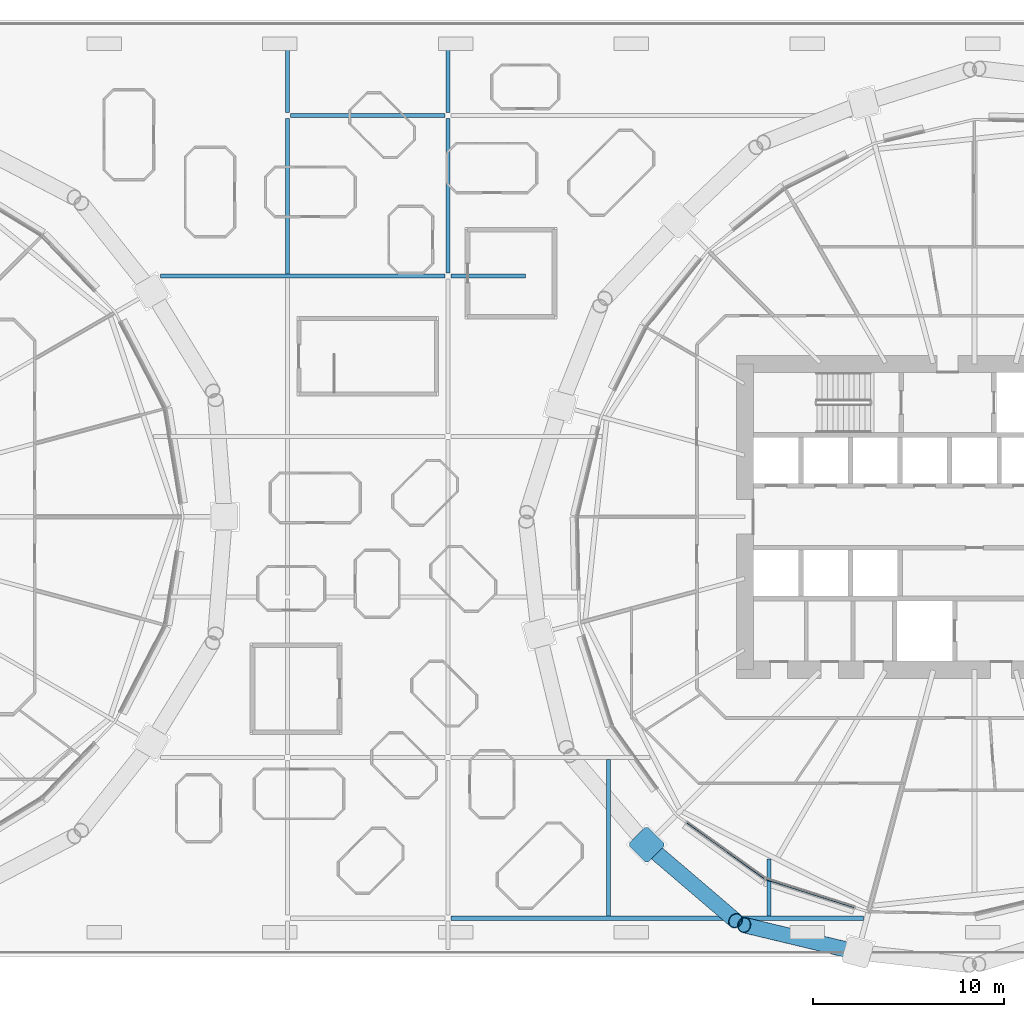
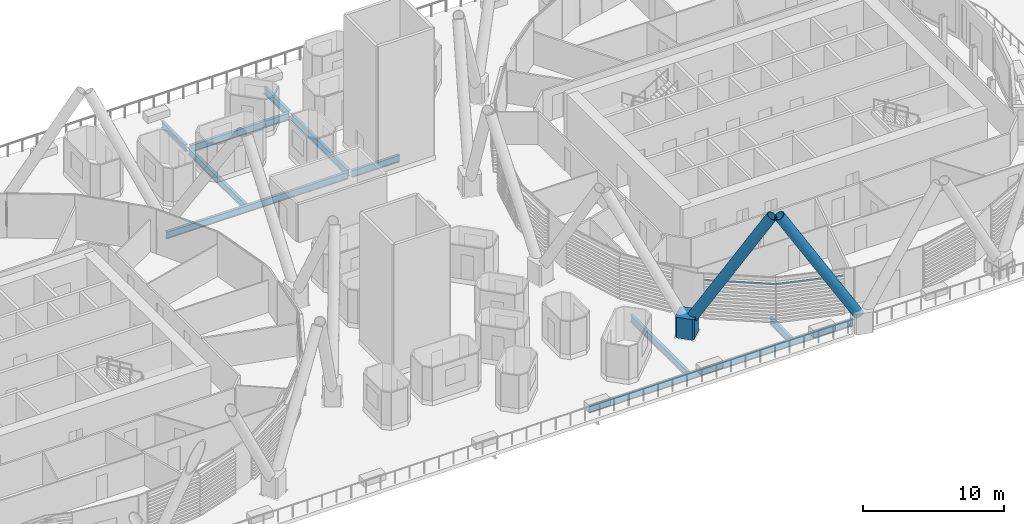
# One storey, part 12 of 47: 10 beams, 5 members, 1 element without a shape of its own.
"""IFC4 building model written with IfcOpenShell, lengths in metres."""

from ifc_helpers import new_model, si_unit, direction, frame, origin, origin_2d, place, context, subcontext, project, spatial, polyline, rectangle, hollow_circle, i_section, outline, extrude, material, material_profile, profile_set, type_object, element, aggregate, save


model = new_model("IFC4")

# Units and contexts
model_context = context("Model", 3, precision=1e-05, world=origin(), true_north=direction((0.0, 1.0)))
body_context = subcontext(model_context, "Body", "Model", "MODEL_VIEW")
ifc_project = project(units=[si_unit("LENGTHUNIT", "METRE"), si_unit("AREAUNIT", "SQUARE_METRE"), si_unit("VOLUMEUNIT", "CUBIC_METRE"), si_unit("PLANEANGLEUNIT", "RADIAN"), si_unit("MASSUNIT", "GRAM", prefix="KILO")], contexts=[model_context])

# Site, building, storey
site_placement = place(None, origin())
site = spatial("IfcSite", under=ifc_project, at=site_placement, CompositionType="ELEMENT")
building_placement = place(site_placement, origin())
building = spatial("IfcBuilding", under=site, at=building_placement, Name="Rimbun Link Towers", CompositionType="ELEMENT")
storey_placement = place(building_placement, frame((0.0, 0.0, 30.0)))
storey = spatial("IfcBuildingStorey", under=building, at=storey_placement, Name="L06", CompositionType="ELEMENT", Elevation=30.0)

# Curtain wall, members
ifc_material_1 = material(Name="Aluminium 6063-T6 and low-iron glass", Category="aluminium")
curtain_wall_type = type_object("IfcCurtainWallType", Name="CW1 unitised vision wall", PredefinedType="NOTDEFINED", material=ifc_material_1)
curtain_wall_placement = place(storey_placement, origin())
curtain_wall = element("IfcCurtainWall", 1, at=curtain_wall_placement, inside=storey, type_object=curtain_wall_type, Name="CW1 L06 T2", PredefinedType="NOTDEFINED")
ifc_material_2 = material(Name="Aluminium 6063-T6", Category="aluminium")
ifc_material_profile_1 = material_profile(ifc_material_2, rectangle(XDim=0.06005859375, YDim=0.1201171875, at=origin_2d()), Name="TRANSOM 60X120")
ifc_profile_set_1 = profile_set([ifc_material_profile_1], Name="Aluminium 6063-T6")
member_type_1 = type_object("IfcMemberType", Name="CW1 transom 60X120", PredefinedType="USERDEFINED", material=ifc_profile_set_1)
member_1_placement = place(storey_placement, frame((20.778076171875, -18.9326171875, 3.199951171875), z_axis=(-0.812475090507, 0.582995906765, 0.0), x_axis=(-0.582995906765, -0.812475090507, 0.0)))
member_1 = element("IfcMember", 2, at=member_1_placement, type_object=member_type_1, Name="CW1 transom", ObjectType="TRANSOM", PredefinedType="USERDEFINED", context=body_context, shape_type="SweptSolid", body=[
    extrude(rectangle(XDim=0.06005859375, YDim=0.1201171875, at=origin_2d()), origin(), (0.0, 0.0, 1.0), 5.01513671875),
])
member_2_placement = place(storey_placement, frame((25.46484375, -20.43603515625, 3.199951171875), z_axis=(-0.952966137754, 0.303076789435, 0.0), x_axis=(-0.303076789435, -0.952966137754, 0.0)))
member_2 = element("IfcMember", 3, at=member_2_placement, type_object=member_type_1, Name="CW1 transom", ObjectType="TRANSOM", PredefinedType="USERDEFINED", context=body_context, shape_type="SweptSolid", body=[
    extrude(rectangle(XDim=0.06005859375, YDim=0.1201171875, at=origin_2d()), origin(), (0.0, 0.0, 1.0), 4.84521484375),
])
aggregate(curtain_wall, [member_1, member_2])

# Members
ifc_material_3 = material(Name="Steel S460NH", Category="steel")
ifc_material_profile_2 = material_profile(ifc_material_3, hollow_circle(Radius=0.406494140625, WallThickness=0.0400390625, at=origin_2d()), Name="Diagrid diagonal CHS 813x40")
ifc_profile_set_2 = profile_set([ifc_material_profile_2], Name="Steel S460NH")
member_type_2 = type_object("IfcMemberType", Name="Diagrid diagonal CHS 813x40", PredefinedType="BRACE", material=ifc_profile_set_2)
member_3_placement = place(storey_placement, frame((14.791259765625, -17.3251953125, 1.3271484375), z_axis=(0.395056018481, -0.33764325757, 0.854358105761), x_axis=(0.649707856995, 0.760183991254, 0.0)))
element("IfcMember", 4, at=member_3_placement, inside=storey, type_object=member_type_2, Name="Diagrid diagonal T2 L06-L09 12b", PredefinedType="BRACE", context=body_context, shape_type="SweptSolid", body=[
    extrude(hollow_circle(Radius=0.406494140625, WallThickness=0.0400390625, at=origin_2d()), origin(), (0.0, 0.0, 1.0), 11.2900390625),
])
member_4_placement = place(storey_placement, frame((25.39111328125, -22.72998046875, 1.327392578125), z_axis=(-0.504382565323, 0.120869159329, 0.854978873494), x_axis=(-0.23303995108, -0.972467162017, 0.0)))
element("IfcMember", 5, at=member_4_placement, inside=storey, type_object=member_type_2, Name="Diagrid diagonal T2 L06-L09 14a", PredefinedType="BRACE", context=body_context, shape_type="SweptSolid", body=[
    extrude(hollow_circle(Radius=0.406494140625, WallThickness=0.0400390625, at=origin_2d()), origin(), (0.0, 0.0, 1.0), 11.281005859375),
])
ifc_material_4 = material(Name="Cast steel G20Mn5+QT, Rp0.2 300 MPa", Category="steel")
ifc_material_profile_3 = material_profile(ifc_material_4, outline(polyline([(0.699951171875, -0.570068359375), (0.699951171875, 0.570068359375), (0.570068359375, 0.699951171875), (-0.570068359375, 0.699951171875), (-0.699951171875, 0.570068359375), (-0.699951171875, -0.570068359375), (-0.570068359375, -0.699951171875), (0.570068359375, -0.699951171875), (0.699951171875, -0.570068359375)])), Name="NODE 1400x1400")
ifc_profile_set_3 = profile_set([ifc_material_profile_3], Name="Cast steel G20Mn5+QT, Rp0.2 300 MPa")
member_type_3 = type_object("IfcMemberType", Name="Diagrid node cast 1400", PredefinedType="USERDEFINED", material=ifc_profile_set_3)
member_5_placement = place(storey_placement, frame((14.59375, -17.15625, 0.0), z_axis=(0.0, 0.0, 1.0), x_axis=(-0.707106781187, -0.707106781187, 0.0)))
element("IfcMember", 6, at=member_5_placement, inside=storey, type_object=member_type_3, Name="Diagrid node L06 12", ObjectType="Diagrid node", PredefinedType="USERDEFINED", context=body_context, shape_type="SweptSolid", body=[
    extrude(outline(polyline([(0.699951171875, -0.570068359375), (0.699951171875, 0.570068359375), (0.570068359375, 0.699951171875), (-0.570068359375, 0.699951171875), (-0.699951171875, 0.570068359375), (-0.699951171875, -0.570068359375), (-0.570068359375, -0.699951171875), (0.570068359375, -0.699951171875), (0.699951171875, -0.570068359375)])), origin(), (0.0, 0.0, 1.0), 1.800048828125),
])

# Beams
ifc_material_5 = material(Name="Steel S355J2", Category="steel")
ifc_material_profile_4 = material_profile(ifc_material_5, i_section(OverallWidth=0.2275390625, OverallDepth=0.6025390625, WebThickness=0.010498046875, FlangeThickness=0.014892578125, at=origin_2d()), Name="UB 610x229x101")
ifc_profile_set_4 = profile_set([ifc_material_profile_4], Name="Steel S355J2")
beam_type = type_object("IfcBeamType", Name="UB 610x229x101", PredefinedType="BEAM", material=ifc_profile_set_4)
beam_1_placement = place(storey_placement, frame((4.353759765625, -21.0, -0.601318359375), z_axis=(1.0, 0.0, 0.0), x_axis=(0.0, 1.0, 0.0)))
element("IfcBeam", 7, at=beam_1_placement, inside=storey, type_object=beam_type, Name="Grid beam L06 -21.0", PredefinedType="BEAM", context=body_context, shape_type="SweptSolid", body=[
    extrude(i_section(OverallWidth=0.2275390625, OverallDepth=0.6025390625, WebThickness=0.010498046875, FlangeThickness=0.014892578125, at=origin_2d()), origin(), (0.0, 0.0, 1.0), 21.587646484375),
])
beam_2_placement = place(storey_placement, frame((-10.841796875, 12.60009765625, -0.601318359375), z_axis=(1.0, 0.0, 0.0), x_axis=(0.0, 1.0, 0.0)))
element("IfcBeam", 8, at=beam_2_placement, inside=storey, type_object=beam_type, Name="Grid beam L06 +12.6", PredefinedType="BEAM", context=body_context, shape_type="SweptSolid", body=[
    extrude(i_section(OverallWidth=0.2275390625, OverallDepth=0.6025390625, WebThickness=0.010498046875, FlangeThickness=0.014892578125, at=origin_2d()), origin(), (0.0, 0.0, 1.0), 14.88818359375),
])
beam_3_placement = place(storey_placement, frame((4.353759765625, 12.60009765625, -0.601318359375), z_axis=(1.0, 0.0, 0.0), x_axis=(0.0, 1.0, 0.0)))
element("IfcBeam", 9, at=beam_3_placement, inside=storey, type_object=beam_type, Name="Grid beam L06 +12.6", PredefinedType="BEAM", context=body_context, shape_type="SweptSolid", body=[
    extrude(i_section(OverallWidth=0.2275390625, OverallDepth=0.6025390625, WebThickness=0.010498046875, FlangeThickness=0.014892578125, at=origin_2d()), origin(), (0.0, 0.0, 1.0), 3.89990234375),
])
beam_4_placement = place(storey_placement, frame((-4.04638671875, 21.0, -0.601318359375), z_axis=(1.0, 0.0, 0.0), x_axis=(0.0, 1.0, 0.0)))
element("IfcBeam", 10, at=beam_4_placement, inside=storey, type_object=beam_type, Name="Grid beam L06 +21.0", PredefinedType="BEAM", context=body_context, shape_type="SweptSolid", body=[
    extrude(i_section(OverallWidth=0.2275390625, OverallDepth=0.6025390625, WebThickness=0.010498046875, FlangeThickness=0.014892578125, at=origin_2d()), origin(), (0.0, 0.0, 1.0), 8.0927734375),
])
beam_5_placement = place(storey_placement, frame((-4.199951171875, 12.7138671875, -0.601318359375), z_axis=(0.0, 1.0, 0.0), x_axis=(-1.0, 0.0, 0.0)))
element("IfcBeam", 11, at=beam_5_placement, inside=storey, type_object=beam_type, Name="Grid beam L06 -4.2", PredefinedType="BEAM", context=body_context, shape_type="SweptSolid", body=[
    extrude(i_section(OverallWidth=0.2275390625, OverallDepth=0.6025390625, WebThickness=0.010498046875, FlangeThickness=0.014892578125, at=origin_2d()), origin(), (0.0, 0.0, 1.0), 8.12890625),
])
beam_6_placement = place(storey_placement, frame((-4.199951171875, 21.1572265625, -0.601318359375), z_axis=(0.0, 1.0, 0.0), x_axis=(-1.0, 0.0, 0.0)))
element("IfcBeam", 12, at=beam_6_placement, inside=storey, type_object=beam_type, Name="Grid beam L06 -4.2", PredefinedType="BEAM", context=body_context, shape_type="SweptSolid", body=[
    extrude(i_section(OverallWidth=0.2275390625, OverallDepth=0.6025390625, WebThickness=0.010498046875, FlangeThickness=0.014892578125, at=origin_2d()), origin(), (0.0, 0.0, 1.0), 3.5),
])
beam_7_placement = place(storey_placement, frame((4.199951171875, 12.757080078125, -0.601318359375), z_axis=(0.0, 1.0, 0.0), x_axis=(-1.0, 0.0, 0.0)))
element("IfcBeam", 13, at=beam_7_placement, inside=storey, type_object=beam_type, Name="Grid beam L06 +4.2", PredefinedType="BEAM", context=body_context, shape_type="SweptSolid", body=[
    extrude(i_section(OverallWidth=0.2275390625, OverallDepth=0.6025390625, WebThickness=0.010498046875, FlangeThickness=0.014892578125, at=origin_2d()), origin(), (0.0, 0.0, 1.0), 8.085693359375),
])
beam_8_placement = place(storey_placement, frame((4.199951171875, 21.1572265625, -0.601318359375), z_axis=(0.0, 1.0, 0.0), x_axis=(-1.0, 0.0, 0.0)))
element("IfcBeam", 14, at=beam_8_placement, inside=storey, type_object=beam_type, Name="Grid beam L06 +4.2", PredefinedType="BEAM", context=body_context, shape_type="SweptSolid", body=[
    extrude(i_section(OverallWidth=0.2275390625, OverallDepth=0.6025390625, WebThickness=0.010498046875, FlangeThickness=0.014892578125, at=origin_2d()), origin(), (0.0, 0.0, 1.0), 3.5),
])
beam_9_placement = place(storey_placement, frame((12.60009765625, -20.88623046875, -0.601318359375), z_axis=(0.0, 1.0, 0.0), x_axis=(-1.0, 0.0, 0.0)))
element("IfcBeam", 15, at=beam_9_placement, inside=storey, type_object=beam_type, Name="Grid beam L06 +12.6", PredefinedType="BEAM", context=body_context, shape_type="SweptSolid", body=[
    extrude(i_section(OverallWidth=0.2275390625, OverallDepth=0.6025390625, WebThickness=0.010498046875, FlangeThickness=0.014892578125, at=origin_2d()), origin(), (0.0, 0.0, 1.0), 8.17236328125),
])
beam_10_placement = place(storey_placement, frame((21.0, -20.88623046875, -0.601318359375), z_axis=(0.0, 1.0, 0.0), x_axis=(-1.0, 0.0, 0.0)))
element("IfcBeam", 16, at=beam_10_placement, inside=storey, type_object=beam_type, Name="Grid beam L06 +21.0", PredefinedType="BEAM", context=body_context, shape_type="SweptSolid", body=[
    extrude(i_section(OverallWidth=0.2275390625, OverallDepth=0.6025390625, WebThickness=0.010498046875, FlangeThickness=0.014892578125, at=origin_2d()), origin(), (0.0, 0.0, 1.0), 2.9736328125),
])

save(model, "model.ifc")
